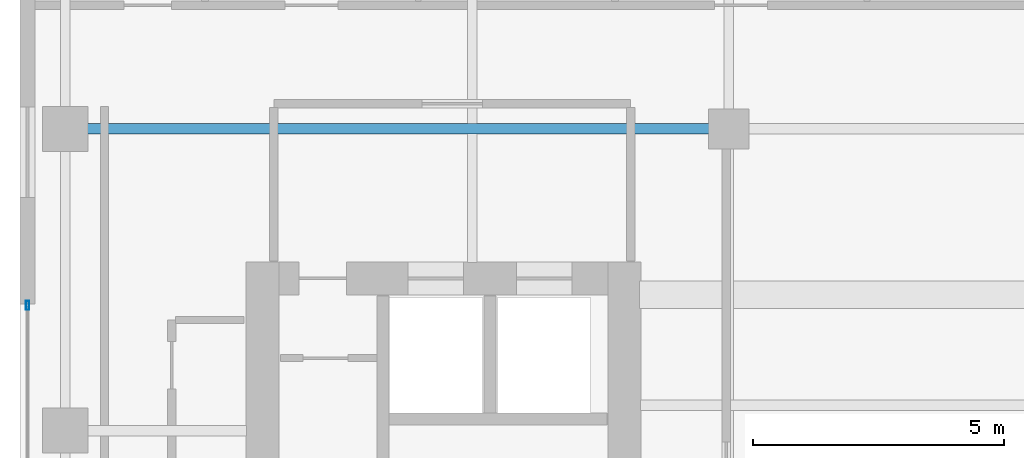
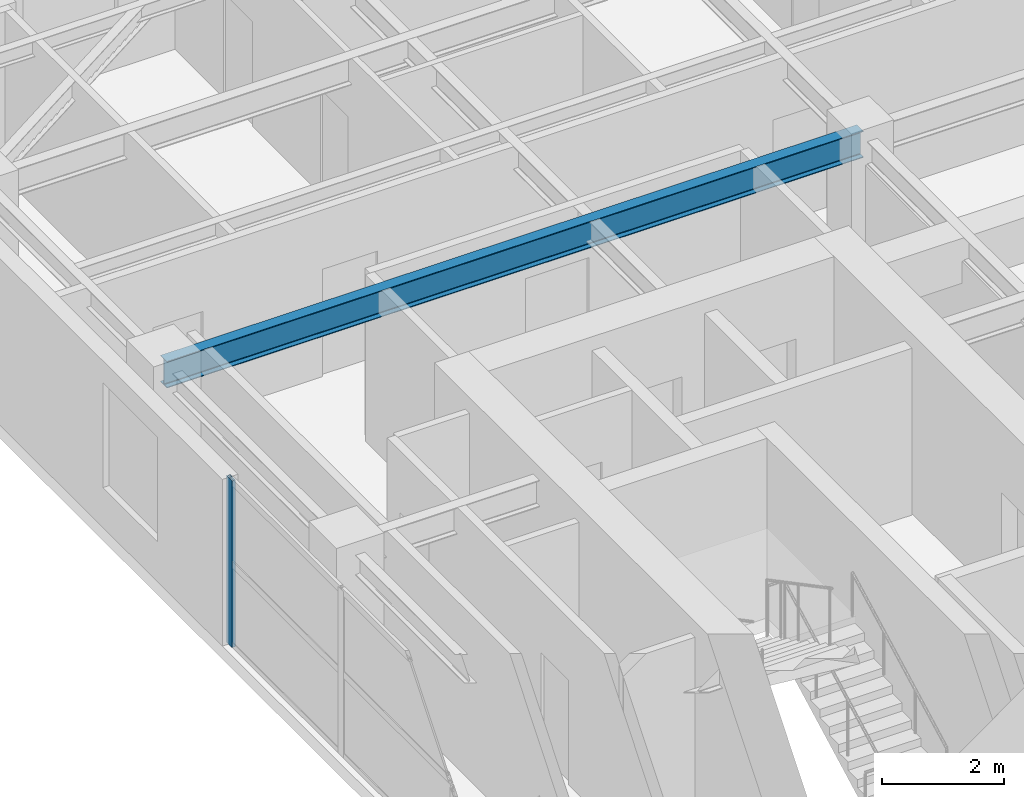
# One storey, part 4 of 14: 1 beam, 1 member, 1 element without a shape of its own.
"""IFC4 building model written with IfcOpenShell, lengths in metres."""

from ifc_helpers import new_model, si_unit, direction, frame, origin, origin_2d, place, context, subcontext, project, spatial, hollow_rectangle, i_section, extrude, source, transform, mapped, material, layer, layer_set, material_profile, profile_set, type_object, element, aggregate, save


model = new_model("IFC4")

# Units and contexts
model_context = context("Model", 3, precision=1e-05, world=origin(), true_north=direction((0.0, 1.0)))
body_context = subcontext(model_context, "Body", "Model", "MODEL_VIEW")
ifc_project = project(units=[si_unit("LENGTHUNIT", "METRE"), si_unit("AREAUNIT", "SQUARE_METRE"), si_unit("VOLUMEUNIT", "CUBIC_METRE"), si_unit("PLANEANGLEUNIT", "RADIAN"), si_unit("MASSUNIT", "GRAM", prefix="KILO")], contexts=[model_context])

# Site, building, storey
site_placement = place(None, origin())
site = spatial("IfcSite", under=ifc_project, at=site_placement, CompositionType="ELEMENT")
building_placement = place(site_placement, origin())
building = spatial("IfcBuilding", under=site, at=building_placement, Name="Khoralis Quay Care Tower", CompositionType="ELEMENT")
storey_placement = place(building_placement, frame((0.0, 0.0, 177.300048828125)))
storey = spatial("IfcBuildingStorey", under=building, at=storey_placement, Name="L46", CompositionType="ELEMENT", Elevation=177.300048828125)

# Beam
ifc_material_1 = material(Name="Steel S355", Category="steel")
ifc_material_profile_1 = material_profile(ifc_material_1, i_section(OverallWidth=0.208984375, OverallDepth=0.532958984375, WebThickness=0.01025390625, FlangeThickness=0.015625, FilletRadius=0.01611328125, at=origin_2d()), Name="Steel S355")
ifc_profile_set_1 = profile_set([ifc_material_profile_1], Name="Steel S355")
beam_type = type_object("IfcBeamType", Name="BM-W530X92", PredefinedType="BEAM", material=ifc_profile_set_1)
shared_shape_1 = source(origin(), body_context, "Body", "SweptSolid", [
    extrude(i_section(OverallWidth=0.208984375, OverallDepth=0.532958984375, WebThickness=0.01025390625, FlangeThickness=0.015625, FilletRadius=0.01611328125, at=origin_2d()), origin(), (0.0, 0.0, 1.0), 13.2001953125),
])
beam_placement = place(storey_placement, frame((3.89990234375, 30.0, 3.073486328125), z_axis=(1.0, 0.0, 0.0), x_axis=(0.0, 1.0, 0.0)))
element("IfcBeam", 1, at=beam_placement, inside=storey, type_object=beam_type, Name="BM-TGXW-L46-300", PredefinedType="BEAM", context=body_context, shape_type="MappedRepresentation", body=[
    mapped(shared_shape_1, transform((0.0, 0.0, 0.0), scale=1.0)),
])

# Curtain wall, member
ifc_material_2 = material(Name="Pale anodised aluminium", Category="aluminium")
ifc_layer = layer(ifc_material_2, 0.159912109375)
ifc_layer_set = layer_set([ifc_layer], Name="Pale anodised aluminium")
curtain_wall_type = type_object("IfcCurtainWallType", Name="CW-SYS-Z3", PredefinedType="NOTDEFINED", material=ifc_layer_set)
curtain_wall_placement = place(storey_placement, origin())
curtain_wall = element("IfcCurtainWall", 2, at=curtain_wall_placement, inside=storey, type_object=curtain_wall_type, Name="L46 Unitised Curtain Wall CW-L46-P1-E15", PredefinedType="NOTDEFINED")
ifc_material_profile_2 = material_profile(ifc_material_2, hollow_rectangle(XDim=0.06494140625, YDim=0.179931640625, WallThickness=0.00390625, at=origin_2d()), Name="Pale anodised aluminium")
ifc_profile_set_2 = profile_set([ifc_material_profile_2], Name="Pale anodised aluminium")
member_type = type_object("IfcMemberType", Name="CW-MUL-180", PredefinedType="MULLION", material=ifc_profile_set_2)
shared_shape_2 = source(origin(), body_context, "Body", "SweptSolid", [
    extrude(hollow_rectangle(XDim=0.06494140625, YDim=0.179931640625, WallThickness=0.00390625, at=origin_2d()), origin(), (0.0, 0.0, 1.0), 3.33984375),
])
member_placement = place(storey_placement, frame((3.14990234375, 26.489990234375, 0.0), z_axis=(0.0, 0.0, 1.0), x_axis=(1.0, 0.0, 0.0)))
member = element("IfcMember", 3, at=member_placement, type_object=member_type, Name="CW3 mullion 1", PredefinedType="MULLION", context=body_context, shape_type="MappedRepresentation", body=[
    mapped(shared_shape_2, transform((0.0, 0.0, 0.0), scale=1.0)),
])
aggregate(curtain_wall, [member])

save(model, "model.ifc")
